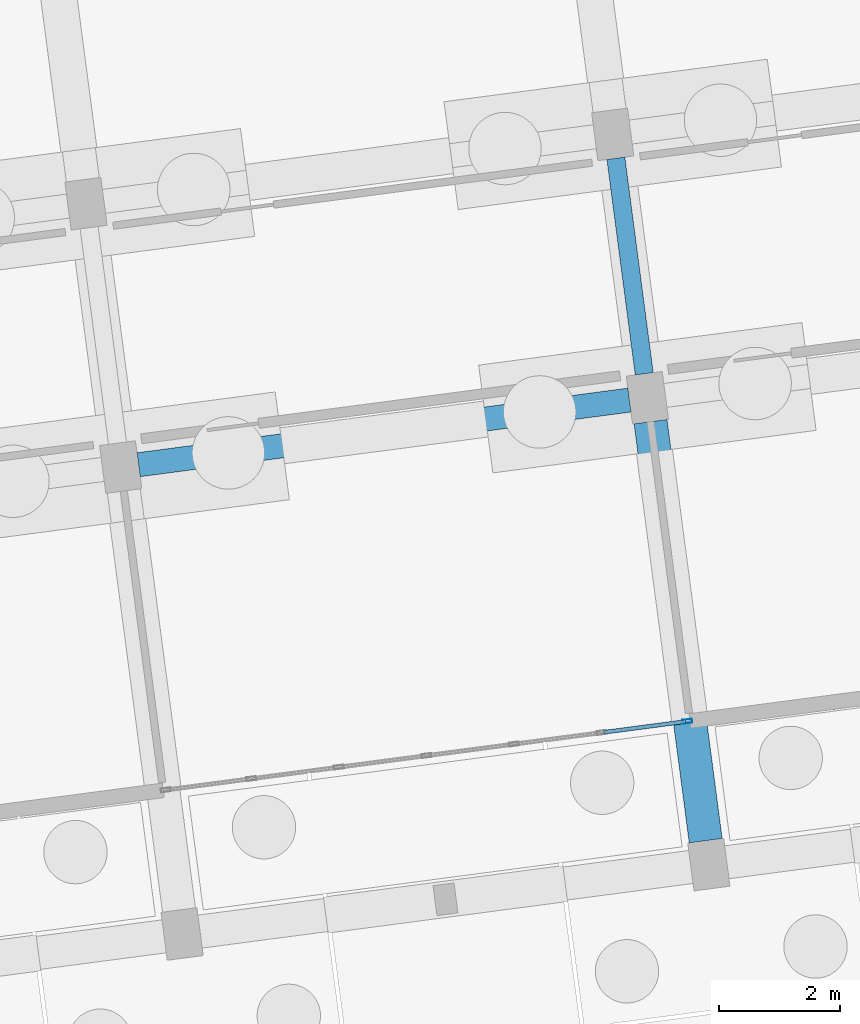
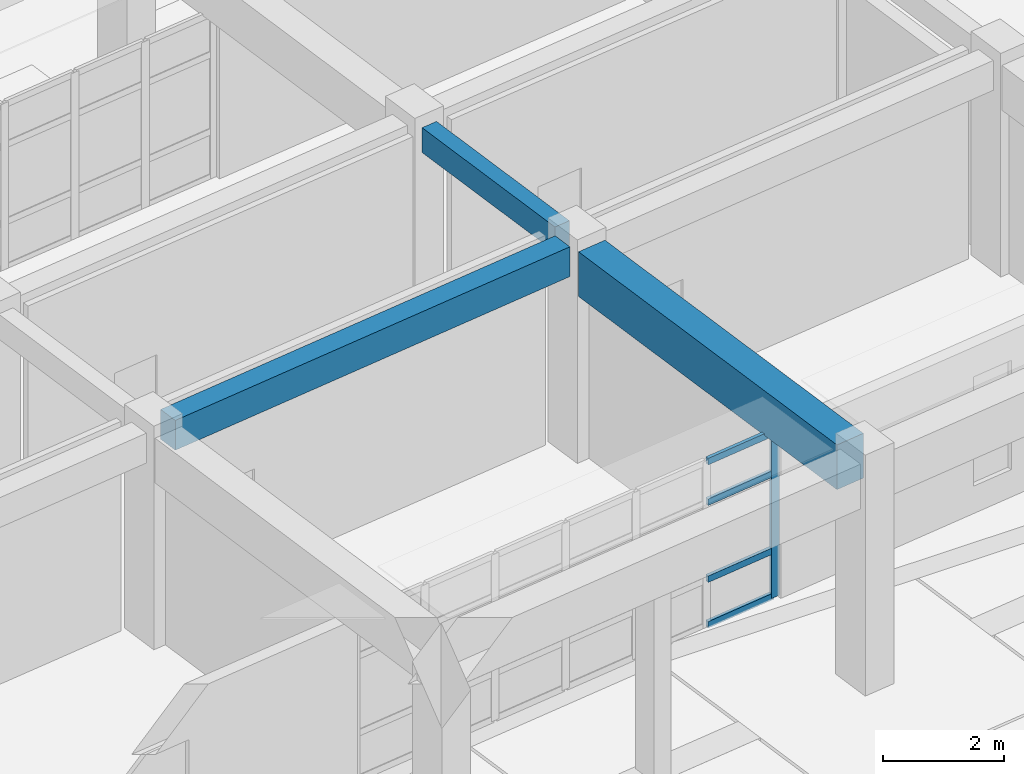
# One storey, part 68 of 154: 5 members, 3 beams, 1 element without a shape of its own.
"""IFC4 building model written with IfcOpenShell, lengths in metres."""

from ifc_helpers import new_model, si_unit, direction, frame, origin, origin_2d, place, context, subcontext, project, spatial, rectangle, hollow_rectangle, extrude, material, material_profile, profile_set, type_object, element, aggregate, save


model = new_model("IFC4")

# Units and contexts
model_context = context("Model", 3, precision=1e-05, world=origin(), true_north=direction((0.0, 1.0)))
body_context = subcontext(model_context, "Body", "Model", "MODEL_VIEW")
ifc_project = project(units=[si_unit("LENGTHUNIT", "METRE"), si_unit("AREAUNIT", "SQUARE_METRE"), si_unit("VOLUMEUNIT", "CUBIC_METRE"), si_unit("PLANEANGLEUNIT", "RADIAN"), si_unit("MASSUNIT", "GRAM", prefix="KILO")], contexts=[model_context])

# Site, building, storey
site_placement = place(None, origin())
site = spatial("IfcSite", under=ifc_project, at=site_placement, CompositionType="ELEMENT")
building_placement = place(site_placement, origin())
building = spatial("IfcBuilding", under=site, at=building_placement, Name="Kestramere Prow Commons", CompositionType="ELEMENT")
storey_placement = place(building_placement, origin())
storey = spatial("IfcBuildingStorey", under=building, at=storey_placement, Name="L00", CompositionType="ELEMENT", Elevation=0.0)

# Beams
ifc_material_1 = material(Name="Precast concrete C40/50", Category="concrete")
ifc_material_profile_1 = material_profile(ifc_material_1, rectangle(XDim=0.39990234375, YDim=0.60009765625, at=origin_2d()), Name="PC-BM 400x600")
ifc_profile_set_1 = profile_set([ifc_material_profile_1], Name="Precast concrete C40/50")
beam_type_1 = type_object("IfcBeamType", Name="BM-A1 PC-BM 400x600", PredefinedType="BEAM", material=ifc_profile_set_1)
beam_1_placement = place(storey_placement, frame((45.378173828125, 84.366943359375, 3.949951171875), z_axis=(0.991444969909, 0.13052536781, 0.0), x_axis=(-0.13052536781, 0.991444969909, 0.0)))
element("IfcBeam", 1, at=beam_1_placement, inside=storey, type_object=beam_type_1, Name="Block A L00 Longitudinal Beam 2-5", PredefinedType="BEAM", context=body_context, shape_type="SweptSolid", body=[
    extrude(rectangle(XDim=0.39990234375, YDim=0.60009765625, at=origin_2d()), origin(), (0.0, 0.0, 1.0), 8.199951171875),
])
ifc_material_profile_2 = material_profile(ifc_material_1, rectangle(XDim=0.300048828125, YDim=0.5, at=origin_2d()), Name="PC-BM 300x500")
ifc_profile_set_2 = profile_set([ifc_material_profile_2], Name="Precast concrete C40/50")
beam_type_2 = type_object("IfcBeamType", Name="BM-TIE-01 PC-BM 300x500", PredefinedType="BEAM", material=ifc_profile_set_2)
beam_2_placement = place(storey_placement, frame((53.753173828125, 85.873046875, 4.0), z_axis=(-0.130484336385, 0.9914503709, 0.0), x_axis=(-0.9914503709, -0.130484336385, 0.0)))
element("IfcBeam", 2, at=beam_2_placement, inside=storey, type_object=beam_type_2, Name="Block A L00 Transverse Beam 6-2", PredefinedType="BEAM", context=body_context, shape_type="SweptSolid", body=[
    extrude(rectangle(XDim=0.300048828125, YDim=0.5, at=origin_2d()), origin(), (0.0, 0.0, 1.0), 3.599853515625),
])

# Curtain wall, members
ifc_material_2 = material(Name="Anodised Aluminium and Low-E Glass", Category="aluminium")
curtain_wall_type = type_object("IfcCurtainWallType", Name="CW-01 Glazed Curtain Wall 8780x3350", PredefinedType="USERDEFINED", material=ifc_material_2)
curtain_wall_placement = place(storey_placement, origin())
curtain_wall = element("IfcCurtainWall", 3, at=curtain_wall_placement, inside=storey, type_object=curtain_wall_type, Name="Block A L00 South Colonnade Storefront 5", ObjectType="GLAZED CURTAIN WALL", PredefinedType="USERDEFINED")
ifc_material_3 = material(Name="Anodised Aluminium 6063-T6", Category="aluminium")
ifc_material_profile_3 = material_profile(ifc_material_3, hollow_rectangle(XDim=0.06494140625, YDim=0.159912109375, WallThickness=0.00390625, at=origin_2d()), Name="ALU-MUL 65x160")
ifc_profile_set_3 = profile_set([ifc_material_profile_3], Name="Anodised Aluminium 6063-T6")
member_type_1 = type_object("IfcMemberType", Name="CW-MUL-65x160", PredefinedType="MULLION", material=ifc_profile_set_3)
member_1_placement = place(storey_placement, frame((54.46826171875, 80.1171875, 0.0), z_axis=(0.0, 0.0, 1.0), x_axis=(0.130526194106, -0.991444861125, 0.0)))
member_1 = element("IfcMember", 4, at=member_1_placement, type_object=member_type_1, Name="CW-01 mullion 1", PredefinedType="MULLION", context=body_context, shape_type="SweptSolid", body=[
    extrude(hollow_rectangle(XDim=0.06494140625, YDim=0.159912109375, WallThickness=0.00390625, at=origin_2d()), origin(), (0.0, 0.0, 1.0), 3.35009765625),
])
ifc_material_profile_4 = material_profile(ifc_material_3, hollow_rectangle(XDim=0.06494140625, YDim=0.1298828125, WallThickness=0.00390625, at=origin_2d()), Name="ALU-TRN 65x130")
ifc_profile_set_4 = profile_set([ifc_material_profile_4], Name="Anodised Aluminium 6063-T6")
member_type_2 = type_object("IfcMemberType", Name="CW-TRN-65x130", PredefinedType="USERDEFINED", material=ifc_profile_set_4)
member_2_placement = place(storey_placement, frame((54.43603515625, 80.11279296875, 0.032470703125), z_axis=(-0.991451253468, -0.130477630256, 0.0), x_axis=(0.130477630256, -0.991451253468, 0.0)))
member_2 = element("IfcMember", 5, at=member_2_placement, type_object=member_type_2, Name="CW-01 transom 1.1", ObjectType="TRANSOM", PredefinedType="USERDEFINED", context=body_context, shape_type="SweptSolid", body=[
    extrude(hollow_rectangle(XDim=0.06494140625, YDim=0.1298828125, WallThickness=0.00390625, at=origin_2d()), origin(), (0.0, 0.0, 1.0), 1.365966796875),
])
member_3_placement = place(storey_placement, frame((54.43603515625, 80.11279296875, 0.949951171875), z_axis=(-0.991451253468, -0.130477630256, 0.0), x_axis=(0.130477630256, -0.991451253468, 0.0)))
member_3 = element("IfcMember", 6, at=member_3_placement, type_object=member_type_2, Name="CW-01 transom 1.2", ObjectType="TRANSOM", PredefinedType="USERDEFINED", context=body_context, shape_type="SweptSolid", body=[
    extrude(hollow_rectangle(XDim=0.06494140625, YDim=0.1298828125, WallThickness=0.00390625, at=origin_2d()), origin(), (0.0, 0.0, 1.0), 1.365966796875),
])
member_4_placement = place(storey_placement, frame((54.43603515625, 80.11279296875, 2.5), z_axis=(-0.991451253468, -0.130477630256, 0.0), x_axis=(0.130477630256, -0.991451253468, 0.0)))
member_4 = element("IfcMember", 7, at=member_4_placement, type_object=member_type_2, Name="CW-01 transom 1.3", ObjectType="TRANSOM", PredefinedType="USERDEFINED", context=body_context, shape_type="SweptSolid", body=[
    extrude(hollow_rectangle(XDim=0.06494140625, YDim=0.1298828125, WallThickness=0.00390625, at=origin_2d()), origin(), (0.0, 0.0, 1.0), 1.365966796875),
])
member_5_placement = place(storey_placement, frame((54.43603515625, 80.11279296875, 3.3173828125), z_axis=(-0.991451253468, -0.130477630256, 0.0), x_axis=(0.130477630256, -0.991451253468, 0.0)))
member_5 = element("IfcMember", 8, at=member_5_placement, type_object=member_type_2, Name="CW-01 transom 1.4", ObjectType="TRANSOM", PredefinedType="USERDEFINED", context=body_context, shape_type="SweptSolid", body=[
    extrude(hollow_rectangle(XDim=0.06494140625, YDim=0.1298828125, WallThickness=0.00390625, at=origin_2d()), origin(), (0.0, 0.0, 1.0), 1.365966796875),
])
aggregate(curtain_wall, [member_1, member_2, member_3, member_4, member_5])

# Beam
ifc_material_profile_5 = material_profile(ifc_material_1, rectangle(XDim=0.550048828125, YDim=0.89990234375, at=origin_2d()), Name="PC-TG 550x900")
ifc_profile_set_5 = profile_set([ifc_material_profile_5], Name="Precast concrete C40/50")
beam_type_3 = type_object("IfcBeamType", Name="TG-01 PC-TG 550x900 (EX)", PredefinedType="BEAM", material=ifc_profile_set_5)
beam_3_placement = place(storey_placement, frame((54.771484375, 78.1396484375, 3.800048828125), z_axis=(-0.130543828916, 0.991442539299, 0.0), x_axis=(-0.991442539299, -0.130543828916, 0.0)))
element("IfcBeam", 9, at=beam_3_placement, inside=storey, type_object=beam_type_3, Name="Block A L00 S Colonnade Transfer Girder 6", PredefinedType="BEAM", context=body_context, shape_type="SweptSolid", body=[
    extrude(rectangle(XDim=0.550048828125, YDim=0.89990234375, at=origin_2d()), origin(), (0.0, 0.0, 1.0), 7.0),
])

save(model, "model.ifc")
